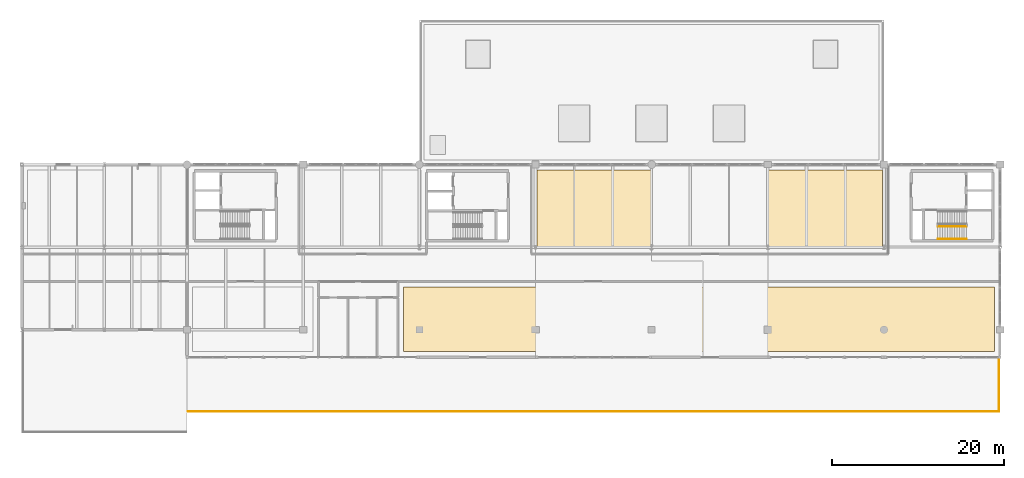
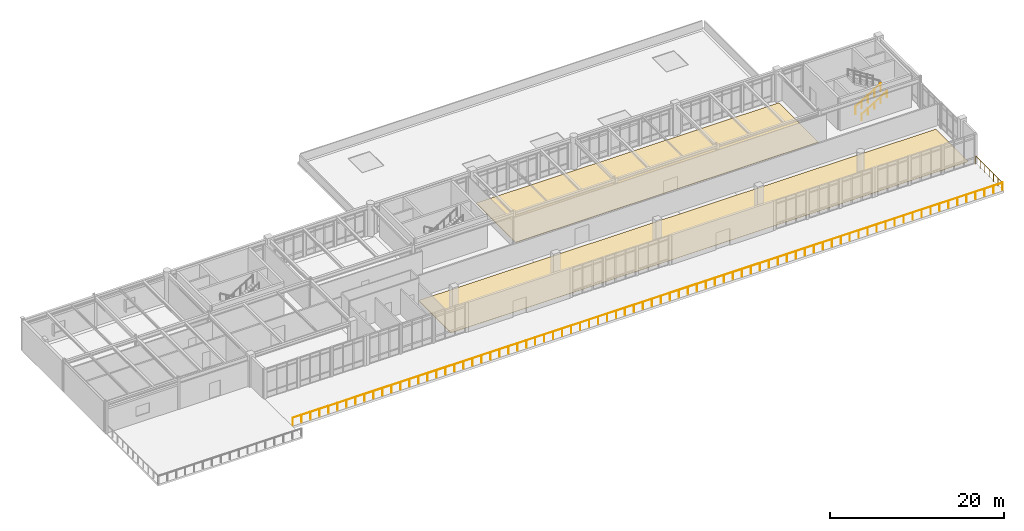
# One storey, part 53 of 55: 4 railings, 2 coverings.
"""IFC4 building model written with IfcOpenShell, lengths in metres."""

from ifc_helpers import new_model, si_unit, direction, frame, origin, origin_2d, place, context, subcontext, project, spatial, polyline, circle, outline, extrude, material, layer, layer_set, type_object, element, save


model = new_model("IFC4")

# Units and contexts
model_context = context("Model", 3, precision=1e-05, world=origin(), true_north=direction((0.0, 1.0)))
body_context = subcontext(model_context, "Body", "Model", "MODEL_VIEW")
ifc_project = project(units=[si_unit("LENGTHUNIT", "METRE"), si_unit("AREAUNIT", "SQUARE_METRE"), si_unit("VOLUMEUNIT", "CUBIC_METRE"), si_unit("PLANEANGLEUNIT", "RADIAN"), si_unit("MASSUNIT", "GRAM", prefix="KILO")], contexts=[model_context])

# Site, building, storey
site_placement = place(None, origin())
site = spatial("IfcSite", under=ifc_project, at=site_placement, CompositionType="ELEMENT")
building_placement = place(site_placement, origin())
building = spatial("IfcBuilding", under=site, at=building_placement, Name="Fikremerkos Civic Library", CompositionType="ELEMENT")
storey_placement = place(building_placement, frame((0.0, 0.0, 18.89990234375)))
storey = spatial("IfcBuildingStorey", under=building, at=storey_placement, Name="L04", CompositionType="ELEMENT", Elevation=18.89990234375)

# Railing
ifc_material_1 = material(Name="Painted Steel S275", Category="steel")
railing_type_1 = type_object("IfcRailingType", Name="Interior balustrade guard RLG-INT 1100", PredefinedType="BALUSTRADE", material=ifc_material_1)
railing_1_placement = place(storey_placement, frame((106.449951171875, 24.0, 0.173095703125)))
element("IfcRailing", 1, at=railing_1_placement, inside=storey, type_object=railing_type_1, Name="L04 ST-K2 stair guard 1", PredefinedType="BALUSTRADE", context=body_context, shape_type="SweptSolid", body=[
    extrude(circle(Radius=0.02392578125, at=origin_2d()), frame((0.0, 0.0, 1.076171875), z_axis=(0.850623216509, 0.0, 0.525775754039), x_axis=(0.0, 1.0, 0.0)), (0.0, 0.0, 1.0), 3.9501953125),
    extrude(circle(Radius=0.02099609375, at=origin_2d()), origin(), (0.0, 0.0, 1.0), 1.052001953125),
    extrude(circle(Radius=0.02099609375, at=origin_2d()), frame((0.840087890625, 0.0, 0.519287109375)), (0.0, 0.0, 1.0), 1.052001953125),
    extrude(circle(Radius=0.02099609375, at=origin_2d()), frame((1.68017578125, 0.0, 1.03857421875)), (0.0, 0.0, 1.0), 1.052001953125),
    extrude(circle(Radius=0.02099609375, at=origin_2d()), frame((2.52001953125, 0.0, 1.5576171875)), (0.0, 0.0, 1.0), 1.052001953125),
    extrude(circle(Radius=0.02099609375, at=origin_2d()), frame((3.360107421875, 0.0, 2.076904296875)), (0.0, 0.0, 1.0), 1.052001953125),
])

# Coverings
ifc_material_2 = material(Name="Polished basalt terrazzo", Category="masonry")
ifc_layer = layer(ifc_material_2, 0.030029296875, Name="Polished basalt terrazzo")
ifc_layer_set = layer_set([ifc_layer], Name="Polished basalt terrazzo")
covering_type = type_object("IfcCoveringType", Name="Polished basalt terrazzo flooring FLR-01", PredefinedType="FLOORING", material=ifc_layer_set)
covering_1_placement = place(storey_placement, origin())
element("IfcCovering", 2, at=covering_1_placement, inside=storey, type_object=covering_type, Name="Terrazzo floor finish Vaulted Main Reading Hall", PredefinedType="FLOORING", context=body_context, shape_type="SweptSolid", body=[
    extrude(outline(polyline([(44.35009765625, 9.449951171875), (44.35009765625, 16.949951171875), (113.050048828125, 16.949951171875), (113.050048828125, 9.449951171875), (44.35009765625, 9.449951171875)])), origin(), (0.0, 0.0, 1.0), 0.030029296875),
])
covering_2_placement = place(storey_placement, origin())
element("IfcCovering", 3, at=covering_2_placement, inside=storey, type_object=covering_type, Name="Terrazzo floor finish North Skylight Reading Room", PredefinedType="FLOORING", context=body_context, shape_type="SweptSolid", body=[
    extrude(outline(polyline([(59.85009765625, 21.449951171875), (59.85009765625, 30.550048828125), (100.050048828125, 30.550048828125), (100.050048828125, 21.449951171875), (59.85009765625, 21.449951171875)])), origin(), (0.0, 0.0, 1.0), 0.030029296875),
])

# Railings
railing_type_2 = type_object("IfcRailingType", Name="Terrace balustrade guard RLG-EXT 1100", PredefinedType="BALUSTRADE", material=ifc_material_1)
railing_2_placement = place(storey_placement, frame((19.320068359375, 2.52001953125, 0.0)))
element("IfcRailing", 4, at=railing_2_placement, inside=storey, type_object=railing_type_2, Name="Terrace balustrade guard L04-TERR-SOUTH south", PredefinedType="BALUSTRADE", context=body_context, shape_type="SweptSolid", body=[
    extrude(circle(Radius=0.02392578125, at=origin_2d()), frame((0.0, 0.0, 1.076171875), z_axis=(1.0, 0.0, 0.0), x_axis=(0.0, 1.0, 0.0)), (0.0, 0.0, 1.0), 94.260009765625),
    extrude(circle(Radius=0.02099609375, at=origin_2d()), origin(), (0.0, 0.0, 1.0), 1.052001953125),
    extrude(circle(Radius=0.02099609375, at=origin_2d()), frame((1.193115234375, 0.0, 0.0)), (0.0, 0.0, 1.0), 1.052001953125),
    extrude(circle(Radius=0.02099609375, at=origin_2d()), frame((2.38623046875, 0.0, 0.0)), (0.0, 0.0, 1.0), 1.052001953125),
    extrude(circle(Radius=0.02099609375, at=origin_2d()), frame((3.57958984375, 0.0, 0.0)), (0.0, 0.0, 1.0), 1.052001953125),
    extrude(circle(Radius=0.02099609375, at=origin_2d()), frame((4.772705078125, 0.0, 0.0)), (0.0, 0.0, 1.0), 1.052001953125),
    extrude(circle(Radius=0.02099609375, at=origin_2d()), frame((5.9658203125, 0.0, 0.0)), (0.0, 0.0, 1.0), 1.052001953125),
    extrude(circle(Radius=0.02099609375, at=origin_2d()), frame((7.158935546875, 0.0, 0.0)), (0.0, 0.0, 1.0), 1.052001953125),
    extrude(circle(Radius=0.02099609375, at=origin_2d()), frame((8.35205078125, 0.0, 0.0)), (0.0, 0.0, 1.0), 1.052001953125),
    extrude(circle(Radius=0.02099609375, at=origin_2d()), frame((9.54541015625, 0.0, 0.0)), (0.0, 0.0, 1.0), 1.052001953125),
    extrude(circle(Radius=0.02099609375, at=origin_2d()), frame((10.738525390625, 0.0, 0.0)), (0.0, 0.0, 1.0), 1.052001953125),
    extrude(circle(Radius=0.02099609375, at=origin_2d()), frame((11.931640625, 0.0, 0.0)), (0.0, 0.0, 1.0), 1.052001953125),
    extrude(circle(Radius=0.02099609375, at=origin_2d()), frame((13.124755859375, 0.0, 0.0)), (0.0, 0.0, 1.0), 1.052001953125),
    extrude(circle(Radius=0.02099609375, at=origin_2d()), frame((14.31787109375, 0.0, 0.0)), (0.0, 0.0, 1.0), 1.052001953125),
    extrude(circle(Radius=0.02099609375, at=origin_2d()), frame((15.51123046875, 0.0, 0.0)), (0.0, 0.0, 1.0), 1.052001953125),
    extrude(circle(Radius=0.02099609375, at=origin_2d()), frame((16.704345703125, 0.0, 0.0)), (0.0, 0.0, 1.0), 1.052001953125),
    extrude(circle(Radius=0.02099609375, at=origin_2d()), frame((17.8974609375, 0.0, 0.0)), (0.0, 0.0, 1.0), 1.052001953125),
    extrude(circle(Radius=0.02099609375, at=origin_2d()), frame((19.090576171875, 0.0, 0.0)), (0.0, 0.0, 1.0), 1.052001953125),
    extrude(circle(Radius=0.02099609375, at=origin_2d()), frame((20.28369140625, 0.0, 0.0)), (0.0, 0.0, 1.0), 1.052001953125),
    extrude(circle(Radius=0.02099609375, at=origin_2d()), frame((21.47705078125, 0.0, 0.0)), (0.0, 0.0, 1.0), 1.052001953125),
    extrude(circle(Radius=0.02099609375, at=origin_2d()), frame((22.670166015625, 0.0, 0.0)), (0.0, 0.0, 1.0), 1.052001953125),
    extrude(circle(Radius=0.02099609375, at=origin_2d()), frame((23.86328125, 0.0, 0.0)), (0.0, 0.0, 1.0), 1.052001953125),
    extrude(circle(Radius=0.02099609375, at=origin_2d()), frame((25.056396484375, 0.0, 0.0)), (0.0, 0.0, 1.0), 1.052001953125),
    extrude(circle(Radius=0.02099609375, at=origin_2d()), frame((26.24951171875, 0.0, 0.0)), (0.0, 0.0, 1.0), 1.052001953125),
    extrude(circle(Radius=0.02099609375, at=origin_2d()), frame((27.44287109375, 0.0, 0.0)), (0.0, 0.0, 1.0), 1.052001953125),
    extrude(circle(Radius=0.02099609375, at=origin_2d()), frame((28.635986328125, 0.0, 0.0)), (0.0, 0.0, 1.0), 1.052001953125),
    extrude(circle(Radius=0.02099609375, at=origin_2d()), frame((29.8291015625, 0.0, 0.0)), (0.0, 0.0, 1.0), 1.052001953125),
    extrude(circle(Radius=0.02099609375, at=origin_2d()), frame((31.022216796875, 0.0, 0.0)), (0.0, 0.0, 1.0), 1.052001953125),
    extrude(circle(Radius=0.02099609375, at=origin_2d()), frame((32.21533203125, 0.0, 0.0)), (0.0, 0.0, 1.0), 1.052001953125),
    extrude(circle(Radius=0.02099609375, at=origin_2d()), frame((33.40869140625, 0.0, 0.0)), (0.0, 0.0, 1.0), 1.052001953125),
    extrude(circle(Radius=0.02099609375, at=origin_2d()), frame((34.601806640625, 0.0, 0.0)), (0.0, 0.0, 1.0), 1.052001953125),
    extrude(circle(Radius=0.02099609375, at=origin_2d()), frame((35.794921875, 0.0, 0.0)), (0.0, 0.0, 1.0), 1.052001953125),
    extrude(circle(Radius=0.02099609375, at=origin_2d()), frame((36.988037109375, 0.0, 0.0)), (0.0, 0.0, 1.0), 1.052001953125),
    extrude(circle(Radius=0.02099609375, at=origin_2d()), frame((38.18115234375, 0.0, 0.0)), (0.0, 0.0, 1.0), 1.052001953125),
    extrude(circle(Radius=0.02099609375, at=origin_2d()), frame((39.37451171875, 0.0, 0.0)), (0.0, 0.0, 1.0), 1.052001953125),
    extrude(circle(Radius=0.02099609375, at=origin_2d()), frame((40.567626953125, 0.0, 0.0)), (0.0, 0.0, 1.0), 1.052001953125),
    extrude(circle(Radius=0.02099609375, at=origin_2d()), frame((41.7607421875, 0.0, 0.0)), (0.0, 0.0, 1.0), 1.052001953125),
    extrude(circle(Radius=0.02099609375, at=origin_2d()), frame((42.953857421875, 0.0, 0.0)), (0.0, 0.0, 1.0), 1.052001953125),
    extrude(circle(Radius=0.02099609375, at=origin_2d()), frame((44.14697265625, 0.0, 0.0)), (0.0, 0.0, 1.0), 1.052001953125),
    extrude(circle(Radius=0.02099609375, at=origin_2d()), frame((45.34033203125, 0.0, 0.0)), (0.0, 0.0, 1.0), 1.052001953125),
    extrude(circle(Radius=0.02099609375, at=origin_2d()), frame((46.533447265625, 0.0, 0.0)), (0.0, 0.0, 1.0), 1.052001953125),
    extrude(circle(Radius=0.02099609375, at=origin_2d()), frame((47.7265625, 0.0, 0.0)), (0.0, 0.0, 1.0), 1.052001953125),
    extrude(circle(Radius=0.02099609375, at=origin_2d()), frame((48.919677734375, 0.0, 0.0)), (0.0, 0.0, 1.0), 1.052001953125),
    extrude(circle(Radius=0.02099609375, at=origin_2d()), frame((50.113037109375, 0.0, 0.0)), (0.0, 0.0, 1.0), 1.052001953125),
    extrude(circle(Radius=0.02099609375, at=origin_2d()), frame((51.30615234375, 0.0, 0.0)), (0.0, 0.0, 1.0), 1.052001953125),
    extrude(circle(Radius=0.02099609375, at=origin_2d()), frame((52.499267578125, 0.0, 0.0)), (0.0, 0.0, 1.0), 1.052001953125),
    extrude(circle(Radius=0.02099609375, at=origin_2d()), frame((53.6923828125, 0.0, 0.0)), (0.0, 0.0, 1.0), 1.052001953125),
    extrude(circle(Radius=0.02099609375, at=origin_2d()), frame((54.885498046875, 0.0, 0.0)), (0.0, 0.0, 1.0), 1.052001953125),
    extrude(circle(Radius=0.02099609375, at=origin_2d()), frame((56.078857421875, 0.0, 0.0)), (0.0, 0.0, 1.0), 1.052001953125),
    extrude(circle(Radius=0.02099609375, at=origin_2d()), frame((57.27197265625, 0.0, 0.0)), (0.0, 0.0, 1.0), 1.052001953125),
    extrude(circle(Radius=0.02099609375, at=origin_2d()), frame((58.465087890625, 0.0, 0.0)), (0.0, 0.0, 1.0), 1.052001953125),
    extrude(circle(Radius=0.02099609375, at=origin_2d()), frame((59.658203125, 0.0, 0.0)), (0.0, 0.0, 1.0), 1.052001953125),
    extrude(circle(Radius=0.02099609375, at=origin_2d()), frame((60.851318359375, 0.0, 0.0)), (0.0, 0.0, 1.0), 1.052001953125),
    extrude(circle(Radius=0.02099609375, at=origin_2d()), frame((62.044677734375, 0.0, 0.0)), (0.0, 0.0, 1.0), 1.052001953125),
    extrude(circle(Radius=0.02099609375, at=origin_2d()), frame((63.23779296875, 0.0, 0.0)), (0.0, 0.0, 1.0), 1.052001953125),
    extrude(circle(Radius=0.02099609375, at=origin_2d()), frame((64.430908203125, 0.0, 0.0)), (0.0, 0.0, 1.0), 1.052001953125),
    extrude(circle(Radius=0.02099609375, at=origin_2d()), frame((65.6240234375, 0.0, 0.0)), (0.0, 0.0, 1.0), 1.052001953125),
    extrude(circle(Radius=0.02099609375, at=origin_2d()), frame((66.817138671875, 0.0, 0.0)), (0.0, 0.0, 1.0), 1.052001953125),
    extrude(circle(Radius=0.02099609375, at=origin_2d()), frame((68.010498046875, 0.0, 0.0)), (0.0, 0.0, 1.0), 1.052001953125),
    extrude(circle(Radius=0.02099609375, at=origin_2d()), frame((69.20361328125, 0.0, 0.0)), (0.0, 0.0, 1.0), 1.052001953125),
    extrude(circle(Radius=0.02099609375, at=origin_2d()), frame((70.396728515625, 0.0, 0.0)), (0.0, 0.0, 1.0), 1.052001953125),
    extrude(circle(Radius=0.02099609375, at=origin_2d()), frame((71.58984375, 0.0, 0.0)), (0.0, 0.0, 1.0), 1.052001953125),
    extrude(circle(Radius=0.02099609375, at=origin_2d()), frame((72.782958984375, 0.0, 0.0)), (0.0, 0.0, 1.0), 1.052001953125),
    extrude(circle(Radius=0.02099609375, at=origin_2d()), frame((73.976318359375, 0.0, 0.0)), (0.0, 0.0, 1.0), 1.052001953125),
    extrude(circle(Radius=0.02099609375, at=origin_2d()), frame((75.16943359375, 0.0, 0.0)), (0.0, 0.0, 1.0), 1.052001953125),
    extrude(circle(Radius=0.02099609375, at=origin_2d()), frame((76.362548828125, 0.0, 0.0)), (0.0, 0.0, 1.0), 1.052001953125),
    extrude(circle(Radius=0.02099609375, at=origin_2d()), frame((77.5556640625, 0.0, 0.0)), (0.0, 0.0, 1.0), 1.052001953125),
    extrude(circle(Radius=0.02099609375, at=origin_2d()), frame((78.748779296875, 0.0, 0.0)), (0.0, 0.0, 1.0), 1.052001953125),
    extrude(circle(Radius=0.02099609375, at=origin_2d()), frame((79.942138671875, 0.0, 0.0)), (0.0, 0.0, 1.0), 1.052001953125),
    extrude(circle(Radius=0.02099609375, at=origin_2d()), frame((81.13525390625, 0.0, 0.0)), (0.0, 0.0, 1.0), 1.052001953125),
    extrude(circle(Radius=0.02099609375, at=origin_2d()), frame((82.328369140625, 0.0, 0.0)), (0.0, 0.0, 1.0), 1.052001953125),
    extrude(circle(Radius=0.02099609375, at=origin_2d()), frame((83.521484375, 0.0, 0.0)), (0.0, 0.0, 1.0), 1.052001953125),
    extrude(circle(Radius=0.02099609375, at=origin_2d()), frame((84.714599609375, 0.0, 0.0)), (0.0, 0.0, 1.0), 1.052001953125),
    extrude(circle(Radius=0.02099609375, at=origin_2d()), frame((85.907958984375, 0.0, 0.0)), (0.0, 0.0, 1.0), 1.052001953125),
    extrude(circle(Radius=0.02099609375, at=origin_2d()), frame((87.10107421875, 0.0, 0.0)), (0.0, 0.0, 1.0), 1.052001953125),
    extrude(circle(Radius=0.02099609375, at=origin_2d()), frame((88.294189453125, 0.0, 0.0)), (0.0, 0.0, 1.0), 1.052001953125),
    extrude(circle(Radius=0.02099609375, at=origin_2d()), frame((89.4873046875, 0.0, 0.0)), (0.0, 0.0, 1.0), 1.052001953125),
    extrude(circle(Radius=0.02099609375, at=origin_2d()), frame((90.680419921875, 0.0, 0.0)), (0.0, 0.0, 1.0), 1.052001953125),
    extrude(circle(Radius=0.02099609375, at=origin_2d()), frame((91.873779296875, 0.0, 0.0)), (0.0, 0.0, 1.0), 1.052001953125),
    extrude(circle(Radius=0.02099609375, at=origin_2d()), frame((93.06689453125, 0.0, 0.0)), (0.0, 0.0, 1.0), 1.052001953125),
    extrude(circle(Radius=0.02099609375, at=origin_2d()), frame((94.260009765625, 0.0, 0.0)), (0.0, 0.0, 1.0), 1.052001953125),
])
railing_3_placement = place(storey_placement, frame((113.580078125, 2.52001953125, 0.0)))
element("IfcRailing", 5, at=railing_3_placement, inside=storey, type_object=railing_type_2, Name="Terrace balustrade guard L04-TERR-SOUTH east", PredefinedType="BALUSTRADE", context=body_context, shape_type="SweptSolid", body=[
    extrude(circle(Radius=0.02392578125, at=origin_2d()), frame((0.0, 0.0, 1.076171875), z_axis=(0.0, 1.0, 0.0), x_axis=(-1.0, 0.0, 0.0)), (0.0, 0.0, 1.0), 6.159912109375),
    extrude(circle(Radius=0.02099609375, at=origin_2d()), origin(), (0.0, 0.0, 1.0), 1.052001953125),
    extrude(circle(Radius=0.02099609375, at=origin_2d()), frame((0.0, 1.026611328125, 0.0)), (0.0, 0.0, 1.0), 1.052001953125),
    extrude(circle(Radius=0.02099609375, at=origin_2d()), frame((0.0, 2.05322265625, 0.0)), (0.0, 0.0, 1.0), 1.052001953125),
    extrude(circle(Radius=0.02099609375, at=origin_2d()), frame((0.0, 3.080078125, 0.0)), (0.0, 0.0, 1.0), 1.052001953125),
    extrude(circle(Radius=0.02099609375, at=origin_2d()), frame((0.0, 4.106689453125, 0.0)), (0.0, 0.0, 1.0), 1.052001953125),
    extrude(circle(Radius=0.02099609375, at=origin_2d()), frame((0.0, 5.13330078125, 0.0)), (0.0, 0.0, 1.0), 1.052001953125),
    extrude(circle(Radius=0.02099609375, at=origin_2d()), frame((0.0, 6.159912109375, 0.0)), (0.0, 0.0, 1.0), 1.052001953125),
])
ifc_material_3 = material(Name="Brushed stainless steel", Category="steel")
railing_type_3 = type_object("IfcRailingType", Name="Wall and flight handrail HRL-01 900", PredefinedType="HANDRAIL", material=ifc_material_3)
railing_4_placement = place(storey_placement, frame((106.449951171875, 22.550048828125, 0.173095703125)))
element("IfcRailing", 6, at=railing_4_placement, inside=storey, type_object=railing_type_3, Name="L04 ST-K2 stair handrail 1", PredefinedType="HANDRAIL", context=body_context, shape_type="SweptSolid", body=[
    extrude(circle(Radius=0.02392578125, at=origin_2d()), frame((0.0, 0.0, 0.8759765625), z_axis=(0.850623216509, 0.0, 0.525775754039), x_axis=(0.0, 1.0, 0.0)), (0.0, 0.0, 1.0), 3.9501953125),
    extrude(circle(Radius=0.02099609375, at=origin_2d()), origin(), (0.0, 0.0, 1.0), 0.851806640625),
    extrude(circle(Radius=0.02099609375, at=origin_2d()), frame((0.840087890625, 0.0, 0.519287109375)), (0.0, 0.0, 1.0), 0.851806640625),
    extrude(circle(Radius=0.02099609375, at=origin_2d()), frame((1.68017578125, 0.0, 1.03857421875)), (0.0, 0.0, 1.0), 0.851806640625),
    extrude(circle(Radius=0.02099609375, at=origin_2d()), frame((2.52001953125, 0.0, 1.5576171875)), (0.0, 0.0, 1.0), 0.851806640625),
    extrude(circle(Radius=0.02099609375, at=origin_2d()), frame((3.360107421875, 0.0, 2.076904296875)), (0.0, 0.0, 1.0), 0.851806640625),
])

save(model, "model.ifc")
